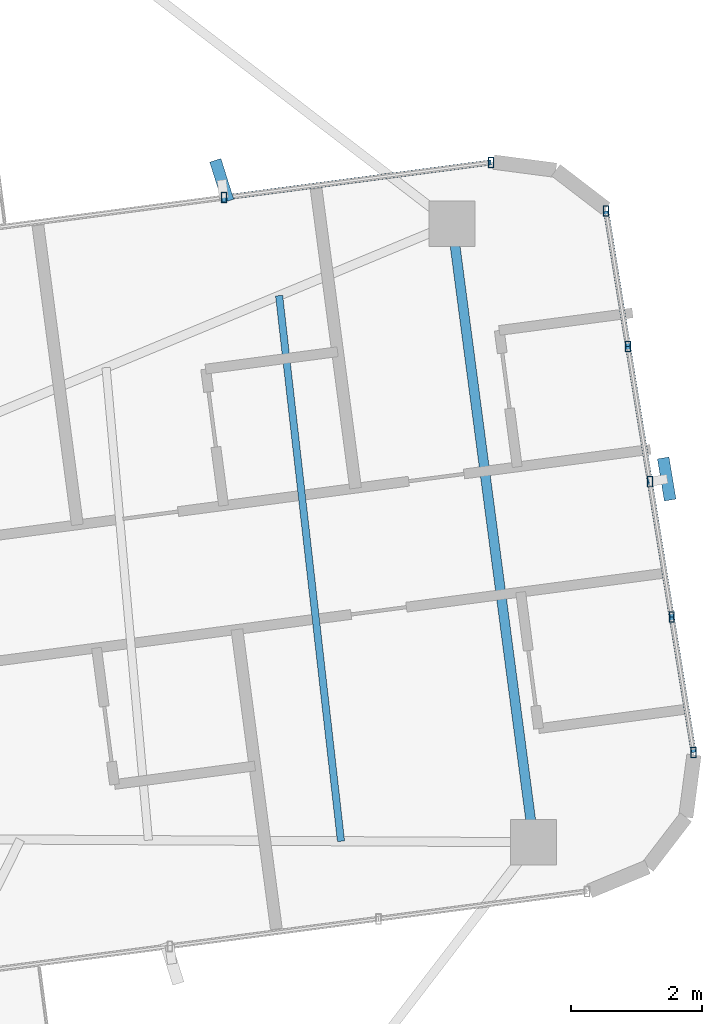
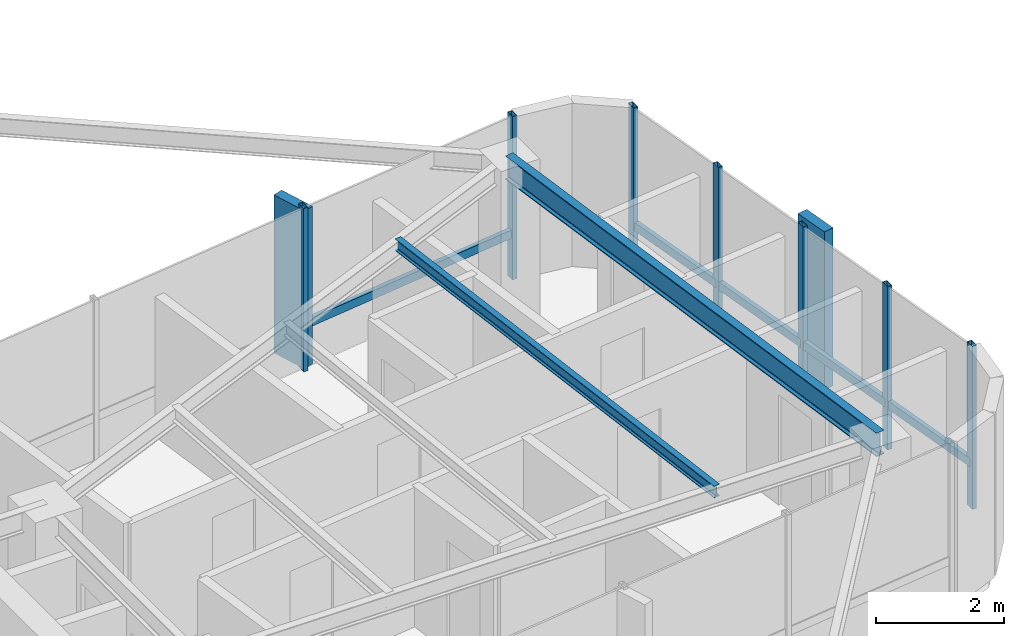
# One storey, part 13 of 23: 14 members, 2 beams, 2 elements without a shape of their own.
"""IFC4 building model written with IfcOpenShell, lengths in metres."""

from ifc_helpers import new_model, si_unit, direction, frame, origin, origin_2d, place, context, subcontext, project, spatial, rectangle, hollow_rectangle, i_section, extrude, source, transform, mapped, material, material_profile, profile_set, type_object, element, aggregate, save


model = new_model("IFC4")

# Units and contexts
model_context = context("Model", 3, precision=1e-05, world=origin(), true_north=direction((0.0, 1.0)))
body_context = subcontext(model_context, "Body", "Model", "MODEL_VIEW")
ifc_project = project(units=[si_unit("LENGTHUNIT", "METRE"), si_unit("AREAUNIT", "SQUARE_METRE"), si_unit("VOLUMEUNIT", "CUBIC_METRE"), si_unit("PLANEANGLEUNIT", "RADIAN"), si_unit("MASSUNIT", "GRAM", prefix="KILO")], contexts=[model_context])

# Site, building, storey
site_placement = place(None, origin())
site = spatial("IfcSite", under=ifc_project, at=site_placement, CompositionType="ELEMENT")
building_placement = place(site_placement, origin())
building = spatial("IfcBuilding", under=site, at=building_placement, Name="Sahyath Konkavel Grand Hotel", CompositionType="ELEMENT")
storey_placement = place(building_placement, frame((0.0, 0.0, 251.199951171875)))
storey = spatial("IfcBuildingStorey", under=building, at=storey_placement, Name="L70", CompositionType="ELEMENT", Elevation=251.199951171875)

# Beams
ifc_material_1 = material(Name="Steel E350", Category="steel")
ifc_material_profile_1 = material_profile(ifc_material_1, i_section(OverallWidth=0.14990234375, OverallDepth=0.449951171875, WebThickness=0.009521484375, FlangeThickness=0.017333984375, FilletRadius=0.014892578125, at=origin_2d()), Name="ISMB 450")
ifc_profile_set_1 = profile_set([ifc_material_profile_1], Name="Steel E350")
beam_type_1 = type_object("IfcBeamType", Name="BM-ISMB450", PredefinedType="BEAM", material=ifc_profile_set_1)
shared_shape_1 = source(origin(), body_context, "Body", "SweptSolid", [
    extrude(i_section(OverallWidth=0.14990234375, OverallDepth=0.449951171875, WebThickness=0.009521484375, FlangeThickness=0.017333984375, FilletRadius=0.014892578125, at=origin_2d()), origin(), (0.0, 0.0, 1.0), 9.515869140625),
])
beam_1_placement = place(storey_placement, frame((17.740234375, -2.46337890625, 2.885009765625), z_axis=(-0.130511587574, 0.991446784002, 0.0), x_axis=(-0.991446784002, -0.130511587574, 0.0)))
element("IfcBeam", 1, at=beam_1_placement, inside=storey, type_object=beam_type_1, Name="L70 Wing Tip Edge Beam E", PredefinedType="BEAM", context=body_context, shape_type="MappedRepresentation", body=[
    mapped(shared_shape_1, transform((0.0, 0.0, 0.0), scale=1.0)),
])
ifc_material_profile_2 = material_profile(ifc_material_1, i_section(OverallWidth=0.110107421875, OverallDepth=0.22509765625, WebThickness=0.006591796875, FlangeThickness=0.01171875, FilletRadius=0.011962890625, at=origin_2d()), Name="ISMB 225")
ifc_profile_set_2 = profile_set([ifc_material_profile_2], Name="Steel E350")
beam_type_2 = type_object("IfcBeamType", Name="BM-ISMB225", PredefinedType="BEAM", material=ifc_profile_set_2)
shared_shape_2 = source(origin(), body_context, "Body", "SweptSolid", [
    extrude(i_section(OverallWidth=0.110107421875, OverallDepth=0.22509765625, WebThickness=0.006591796875, FlangeThickness=0.01171875, FilletRadius=0.011962890625, at=origin_2d()), origin(), (0.0, 0.0, 1.0), 8.375732421875),
])
beam_2_placement = place(storey_placement, frame((14.802490234375, -2.4482421875, 2.99755859375), z_axis=(-0.112689930861, 0.993630202582, 0.0), x_axis=(-0.993630202582, -0.112689930861, 0.0)))
element("IfcBeam", 2, at=beam_2_placement, inside=storey, type_object=beam_type_2, Name="L70 Secondary Floor Beam E-3", PredefinedType="BEAM", context=body_context, shape_type="MappedRepresentation", body=[
    mapped(shared_shape_2, transform((0.0, 0.0, 0.0), scale=1.0)),
])

# Curtain wall, member
ifc_material_2 = material(Name="Anodised Bronze Aluminium & Low-E Glazing", Category="aluminium")
curtain_wall_type = type_object("IfcCurtainWallType", Name="CW-ZONE4", PredefinedType="NOTDEFINED", material=ifc_material_2)
curtain_wall_1_placement = place(storey_placement, origin())
curtain_wall_1 = element("IfcCurtainWall", 3, at=curtain_wall_1_placement, inside=storey, type_object=curtain_wall_type, Name="L70 Unitised Curtain Wall F4", PredefinedType="NOTDEFINED")
ifc_material_3 = material(Name="Warm Buff Sandstone Cladding on Concrete C50/60", Category="masonry")
ifc_material_profile_3 = material_profile(ifc_material_3, rectangle(XDim=0.179931640625, YDim=0.64990234375, at=origin_2d()), Name="FIN 180x650")
ifc_profile_set_3 = profile_set([ifc_material_profile_3], Name="Warm Buff Sandstone Cladding on Concrete C50/60")
member_type_1 = type_object("IfcMemberType", Name="FIN-SANDSTONE-650", PredefinedType="MULLION", material=ifc_profile_set_3)
shared_shape_3 = source(origin(), body_context, "Body", "SweptSolid", [
    extrude(rectangle(XDim=0.179931640625, YDim=0.64990234375, at=origin_2d()), origin(), (0.0, 0.0, 1.0), 3.010009765625),
])
member_1_placement = place(storey_placement, frame((19.7705078125, 3.076904296875, 0.050048828125), z_axis=(0.0, 0.0, 1.0), x_axis=(0.986572161607, 0.163325962242, 0.0)))
member_1 = element("IfcMember", 4, at=member_1_placement, type_object=member_type_1, Name="L70 Sandstone Vertical Solar Fin FIN F4-2", PredefinedType="MULLION", context=body_context, shape_type="MappedRepresentation", body=[
    mapped(shared_shape_3, transform((0.0, 0.0, 0.0), scale=1.0)),
])

curtain_wall_2_placement = place(storey_placement, origin())
curtain_wall_2 = element("IfcCurtainWall", 5, at=curtain_wall_2_placement, inside=storey, type_object=curtain_wall_type, Name="L70 Unitised Curtain Wall F7", PredefinedType="NOTDEFINED")
member_2_placement = place(storey_placement, frame((12.98291015625, 7.6279296875, 0.050048828125), z_axis=(0.0, 0.0, 1.0), x_axis=(0.953716950748, 0.300705799504, 0.0)))
member_2 = element("IfcMember", 6, at=member_2_placement, type_object=member_type_1, Name="L70 Sandstone Vertical Solar Fin FIN F7-1", PredefinedType="MULLION", context=body_context, shape_type="MappedRepresentation", body=[
    mapped(shared_shape_3, transform((0.0, 0.0, 0.0), scale=1.0)),
])

# Member
ifc_material_4 = material(Name="Anodised Bronze Aluminium", Category="aluminium")
ifc_material_profile_4 = material_profile(ifc_material_4, hollow_rectangle(XDim=0.080078125, YDim=0.159912109375, WallThickness=0.006103515625, at=origin_2d()), Name="RHS 160x80x6")
ifc_profile_set_4 = profile_set([ifc_material_profile_4], Name="Anodised Bronze Aluminium")
member_type_2 = type_object("IfcMemberType", Name="CW-MUL-160", PredefinedType="MULLION", material=ifc_profile_set_4)
shared_shape_4 = source(origin(), body_context, "Body", "SweptSolid", [
    extrude(hollow_rectangle(XDim=0.080078125, YDim=0.159912109375, WallThickness=0.006103515625, at=origin_2d()), origin(), (0.0, 0.0, 1.0), 3.110107421875),
])
member_3_placement = place(storey_placement, frame((20.18115234375, -1.09326171875, 0.0), z_axis=(0.0, 0.0, 1.0), x_axis=(1.0, 0.0, 0.0)))
member_3 = element("IfcMember", 7, at=member_3_placement, type_object=member_type_2, Name="L70 Curtain Wall Mullion F4-0", PredefinedType="MULLION", context=body_context, shape_type="MappedRepresentation", body=[
    mapped(shared_shape_4, transform((0.0, 0.0, 0.0), scale=1.0)),
])

member_4_placement = place(storey_placement, frame((19.847412109375, 0.97119140625, 0.0), z_axis=(0.0, 0.0, 1.0), x_axis=(1.0, 0.0, 0.0)))
member_4 = element("IfcMember", 8, at=member_4_placement, type_object=member_type_2, Name="L70 Curtain Wall Mullion F4-1", PredefinedType="MULLION", context=body_context, shape_type="MappedRepresentation", body=[
    mapped(shared_shape_4, transform((0.0, 0.0, 0.0), scale=1.0)),
])

member_5_placement = place(storey_placement, frame((19.513916015625, 3.035400390625, 0.0), z_axis=(0.0, 0.0, 1.0), x_axis=(1.0, 0.0, 0.0)))
member_5 = element("IfcMember", 9, at=member_5_placement, type_object=member_type_2, Name="L70 Curtain Wall Mullion F4-2", PredefinedType="MULLION", context=body_context, shape_type="MappedRepresentation", body=[
    mapped(shared_shape_4, transform((0.0, 0.0, 0.0), scale=1.0)),
])

member_6_placement = place(storey_placement, frame((19.18017578125, 5.099853515625, 0.0), z_axis=(0.0, 0.0, 1.0), x_axis=(1.0, 0.0, 0.0)))
member_6 = element("IfcMember", 10, at=member_6_placement, type_object=member_type_2, Name="L70 Curtain Wall Mullion F4-3", PredefinedType="MULLION", context=body_context, shape_type="MappedRepresentation", body=[
    mapped(shared_shape_4, transform((0.0, 0.0, 0.0), scale=1.0)),
])

member_7_placement = place(storey_placement, frame((18.846435546875, 7.164306640625, 0.0), z_axis=(0.0, 0.0, 1.0), x_axis=(1.0, 0.0, 0.0)))
member_7 = element("IfcMember", 11, at=member_7_placement, type_object=member_type_2, Name="L70 Curtain Wall Mullion F4-4", PredefinedType="MULLION", context=body_context, shape_type="MappedRepresentation", body=[
    mapped(shared_shape_4, transform((0.0, 0.0, 0.0), scale=1.0)),
])

member_8_placement = place(storey_placement, frame((17.09130859375, 7.906494140625, 0.0), z_axis=(0.0, 0.0, 1.0), x_axis=(1.0, 0.0, 0.0)))
member_8 = element("IfcMember", 12, at=member_8_placement, type_object=member_type_2, Name="L70 Curtain Wall Mullion F7-0", PredefinedType="MULLION", context=body_context, shape_type="MappedRepresentation", body=[
    mapped(shared_shape_4, transform((0.0, 0.0, 0.0), scale=1.0)),
])

member_9_placement = place(storey_placement, frame((13.0166015625, 7.3701171875, 0.0), z_axis=(0.0, 0.0, 1.0), x_axis=(1.0, 0.0, 0.0)))
member_9 = element("IfcMember", 13, at=member_9_placement, type_object=member_type_2, Name="L70 Curtain Wall Mullion F7-1", PredefinedType="MULLION", context=body_context, shape_type="MappedRepresentation", body=[
    mapped(shared_shape_4, transform((0.0, 0.0, 0.0), scale=1.0)),
])

ifc_material_profile_5 = material_profile(ifc_material_4, hollow_rectangle(XDim=0.080078125, YDim=0.159912109375, WallThickness=0.006103515625, at=origin_2d()), Name="RHS 160x80x6")
ifc_profile_set_5 = profile_set([ifc_material_profile_5], Name="Anodised Bronze Aluminium")
member_type_3 = type_object("IfcMemberType", Name="CW-TRN-160", PredefinedType="USERDEFINED", material=ifc_profile_set_5)
shared_shape_5 = source(origin(), body_context, "Body", "SweptSolid", [
    extrude(hollow_rectangle(XDim=0.080078125, YDim=0.159912109375, WallThickness=0.006103515625, at=origin_2d()), origin(), (0.0, 0.0, 1.0), 2.09130859375),
])
member_10_placement = place(storey_placement, frame((20.18115234375, -1.09326171875, 0.85009765625), z_axis=(-0.15958846084, 0.987183631938, 0.0), x_axis=(-0.987183631938, -0.15958846084, 0.0)))
member_10 = element("IfcMember", 14, at=member_10_placement, type_object=member_type_3, Name="L70 Curtain Wall Transom F4-0-spandrel", ObjectType="TRANSOM", PredefinedType="USERDEFINED", context=body_context, shape_type="MappedRepresentation", body=[
    mapped(shared_shape_5, transform((0.0, 0.0, 0.0), scale=1.0)),
])

member_11_placement = place(storey_placement, frame((19.513916015625, 3.035400390625, 0.85009765625), z_axis=(-0.15958846084, 0.987183631938, 0.0), x_axis=(-0.987183631938, -0.15958846084, 0.0)))
member_11 = element("IfcMember", 15, at=member_11_placement, type_object=member_type_3, Name="L70 Curtain Wall Transom F4-2-spandrel", ObjectType="TRANSOM", PredefinedType="USERDEFINED", context=body_context, shape_type="MappedRepresentation", body=[
    mapped(shared_shape_5, transform((0.0, 0.0, 0.0), scale=1.0)),
])

member_12_placement = place(storey_placement, frame((19.18017578125, 5.099853515625, 0.85009765625), z_axis=(-0.15958846084, 0.987183631938, 0.0), x_axis=(-0.987183631938, -0.15958846084, 0.0)))
member_12 = element("IfcMember", 16, at=member_12_placement, type_object=member_type_3, Name="L70 Curtain Wall Transom F4-3-spandrel", ObjectType="TRANSOM", PredefinedType="USERDEFINED", context=body_context, shape_type="MappedRepresentation", body=[
    mapped(shared_shape_5, transform((0.0, 0.0, 0.0), scale=1.0)),
])

shared_shape_6 = source(origin(), body_context, "Body", "SweptSolid", [
    extrude(hollow_rectangle(XDim=0.080078125, YDim=0.159912109375, WallThickness=0.006103515625, at=origin_2d()), origin(), (0.0, 0.0, 1.0), 2.091064453125),
])
member_13_placement = place(storey_placement, frame((19.847412109375, 0.97119140625, 0.85009765625), z_axis=(-0.159493069181, 0.987199048259, 0.0), x_axis=(-0.987199048259, -0.159493069181, 0.0)))
member_13 = element("IfcMember", 17, at=member_13_placement, type_object=member_type_3, Name="L70 Curtain Wall Transom F4-1-spandrel", ObjectType="TRANSOM", PredefinedType="USERDEFINED", context=body_context, shape_type="MappedRepresentation", body=[
    mapped(shared_shape_6, transform((0.0, 0.0, 0.0), scale=1.0)),
])

aggregate(curtain_wall_1, [member_3, member_4, member_5, member_1, member_6, member_7, member_10, member_13, member_11, member_12])

shared_shape_7 = source(origin(), body_context, "Body", "SweptSolid", [
    extrude(hollow_rectangle(XDim=0.080078125, YDim=0.159912109375, WallThickness=0.006103515625, at=origin_2d()), origin(), (0.0, 0.0, 1.0), 4.10986328125),
])
member_14_placement = place(storey_placement, frame((17.09130859375, 7.906494140625, 0.85009765625), z_axis=(-0.991447015131, -0.13050983177, 0.0), x_axis=(0.13050983177, -0.991447015131, 0.0)))
member_14 = element("IfcMember", 18, at=member_14_placement, type_object=member_type_3, Name="L70 Curtain Wall Transom F7-0-spandrel", ObjectType="TRANSOM", PredefinedType="USERDEFINED", context=body_context, shape_type="MappedRepresentation", body=[
    mapped(shared_shape_7, transform((0.0, 0.0, 0.0), scale=1.0)),
])

aggregate(curtain_wall_2, [member_8, member_9, member_2, member_14])

save(model, "model.ifc")
